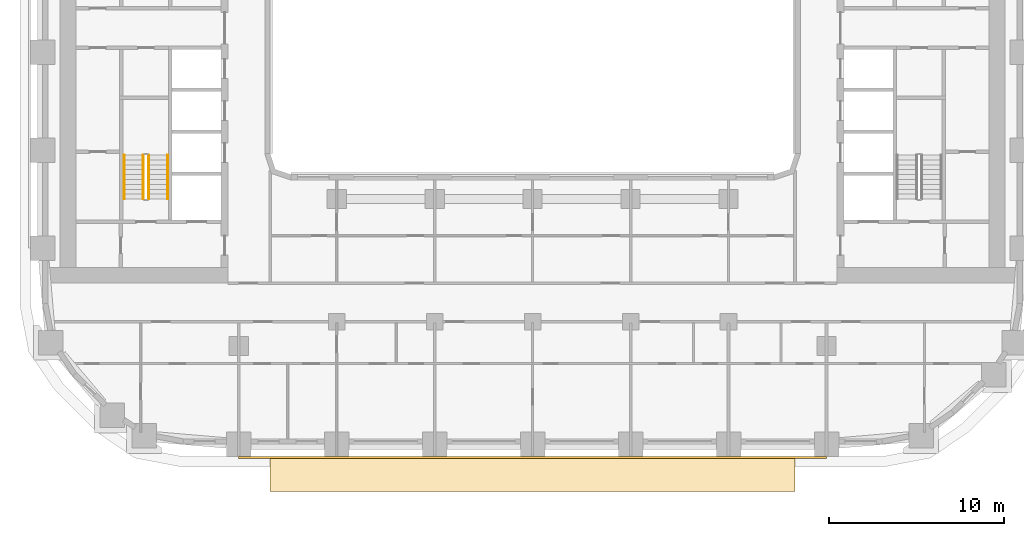
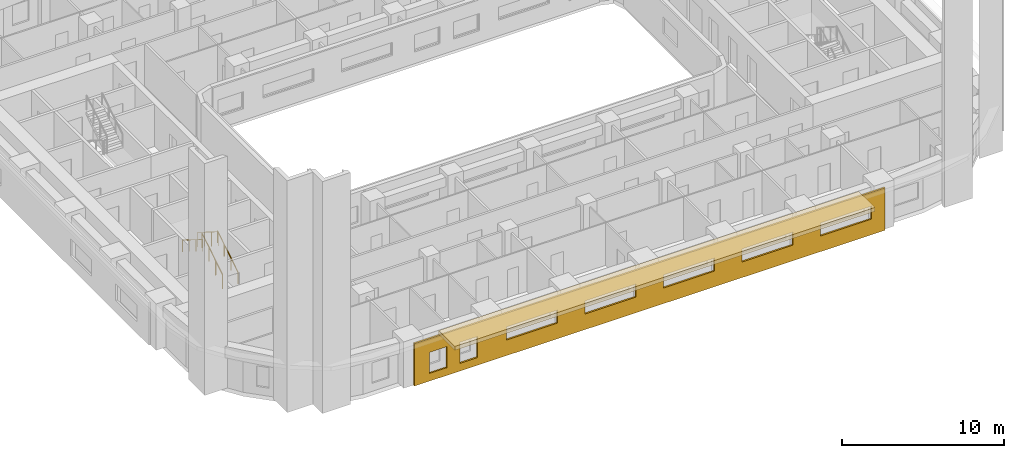
# One storey, part 12 of 22: 4 railings, 2 coverings.
"""IFC4 building model written with IfcOpenShell, lengths in metres."""

from ifc_helpers import new_model, si_unit, direction, frame, origin, origin_2d, place, context, subcontext, project, spatial, polyline, circle, outline, extrude, material, layer, layer_set, type_object, element, save


model = new_model("IFC4")

# Units and contexts
model_context = context("Model", 3, precision=1e-05, world=origin(), true_north=direction((0.0, 1.0)))
body_context = subcontext(model_context, "Body", "Model", "MODEL_VIEW")
ifc_project = project(units=[si_unit("LENGTHUNIT", "METRE"), si_unit("AREAUNIT", "SQUARE_METRE"), si_unit("VOLUMEUNIT", "CUBIC_METRE"), si_unit("PLANEANGLEUNIT", "RADIAN"), si_unit("MASSUNIT", "GRAM", prefix="KILO")], contexts=[model_context])

# Site, building, storey
site_placement = place(None, origin())
site = spatial("IfcSite", under=ifc_project, at=site_placement, CompositionType="ELEMENT")
building_placement = place(site_placement, origin())
building = spatial("IfcBuilding", under=site, at=building_placement, Name="Kiln Ring Residences", CompositionType="ELEMENT")
storey_placement = place(building_placement, frame((0.0, 0.0, 55.0)))
storey = spatial("IfcBuildingStorey", under=building, at=storey_placement, Name="L13", CompositionType="ELEMENT", Elevation=55.0)

# Railings
ifc_material_1 = material(Name="Stainless steel", Category="steel")
railing_type_1 = type_object("IfcRailingType", Name="CORE-STAIR-GUARD", PredefinedType="GUARDRAIL", material=ifc_material_1)
railing_1_placement = place(storey_placement, frame((-21.949951171875, -8.39990234375, 0.175048828125)))
element("IfcRailing", 1, at=railing_1_placement, inside=storey, type_object=railing_type_1, Name="L13 W-STS stair guard 1", PredefinedType="GUARDRAIL", context=body_context, shape_type="SweptSolid", body=[
    extrude(circle(Radius=0.02392578125, at=origin_2d()), frame((0.0, 0.0, 1.076171875), z_axis=(0.0, 0.848007534815, 0.529984170421), x_axis=(-1.0, 0.0, 0.0)), (0.0, 0.0, 1.0), 2.9716796875),
    extrude(circle(Radius=0.02099609375, at=origin_2d()), origin(), (0.0, 0.0, 1.0), 1.052001953125),
    extrude(circle(Radius=0.02099609375, at=origin_2d()), frame((0.0, 0.840087890625, 0.52490234375)), (0.0, 0.0, 1.0), 1.052001953125),
    extrude(circle(Radius=0.02099609375, at=origin_2d()), frame((0.0, 1.679931640625, 1.050048828125)), (0.0, 0.0, 1.0), 1.052001953125),
    extrude(circle(Radius=0.02099609375, at=origin_2d()), frame((0.0, 2.52001953125, 1.574951171875)), (0.0, 0.0, 1.0), 1.052001953125),
])
railing_2_placement = place(storey_placement, frame((-22.25, -5.8798828125, 1.925048828125)))
element("IfcRailing", 2, at=railing_2_placement, inside=storey, type_object=railing_type_1, Name="L13 W-STS stair guard 3", PredefinedType="GUARDRAIL", context=body_context, shape_type="SweptSolid", body=[
    extrude(circle(Radius=0.02392578125, at=origin_2d()), frame((0.0, 0.0, 1.076171875), z_axis=(0.0, -0.848007534815, 0.529984170421), x_axis=(1.0, 0.0, 0.0)), (0.0, 0.0, 1.0), 2.9716796875),
    extrude(circle(Radius=0.02099609375, at=origin_2d()), origin(), (0.0, 0.0, 1.0), 1.052001953125),
    extrude(circle(Radius=0.02099609375, at=origin_2d()), frame((0.0, -0.840087890625, 0.52490234375)), (0.0, 0.0, 1.0), 1.052001953125),
    extrude(circle(Radius=0.02099609375, at=origin_2d()), frame((0.0, -1.679931640625, 1.050048828125)), (0.0, 0.0, 1.0), 1.052001953125),
    extrude(circle(Radius=0.02099609375, at=origin_2d()), frame((0.0, -2.52001953125, 1.574951171875)), (0.0, 0.0, 1.0), 1.052001953125),
])
ifc_material_2 = material(Name="Stainless steel", Category="steel")
railing_type_2 = type_object("IfcRailingType", Name="CORE-STAIR-HANDRAIL", PredefinedType="HANDRAIL", material=ifc_material_2)
railing_3_placement = place(storey_placement, frame((-20.85009765625, -8.39990234375, 0.175048828125)))
element("IfcRailing", 3, at=railing_3_placement, inside=storey, type_object=railing_type_2, Name="L13 W-STS stair handrail 1", PredefinedType="HANDRAIL", context=body_context, shape_type="SweptSolid", body=[
    extrude(circle(Radius=0.02392578125, at=origin_2d()), frame((0.0, 0.0, 0.8759765625), z_axis=(0.0, 0.848007534815, 0.529984170421), x_axis=(-1.0, 0.0, 0.0)), (0.0, 0.0, 1.0), 2.9716796875),
    extrude(circle(Radius=0.02099609375, at=origin_2d()), origin(), (0.0, 0.0, 1.0), 0.851806640625),
    extrude(circle(Radius=0.02099609375, at=origin_2d()), frame((0.0, 0.840087890625, 0.52490234375)), (0.0, 0.0, 1.0), 0.851806640625),
    extrude(circle(Radius=0.02099609375, at=origin_2d()), frame((0.0, 1.679931640625, 1.050048828125)), (0.0, 0.0, 1.0), 0.851806640625),
    extrude(circle(Radius=0.02099609375, at=origin_2d()), frame((0.0, 2.52001953125, 1.574951171875)), (0.0, 0.0, 1.0), 0.851806640625),
])
railing_4_placement = place(storey_placement, frame((-23.35009765625, -5.8798828125, 1.925048828125)))
element("IfcRailing", 4, at=railing_4_placement, inside=storey, type_object=railing_type_2, Name="L13 W-STS stair handrail 2", PredefinedType="HANDRAIL", context=body_context, shape_type="SweptSolid", body=[
    extrude(circle(Radius=0.02392578125, at=origin_2d()), frame((0.0, 0.0, 0.8759765625), z_axis=(0.0, -0.848007534815, 0.529984170421), x_axis=(1.0, 0.0, 0.0)), (0.0, 0.0, 1.0), 2.9716796875),
    extrude(circle(Radius=0.02099609375, at=origin_2d()), origin(), (0.0, 0.0, 1.0), 0.851806640625),
    extrude(circle(Radius=0.02099609375, at=origin_2d()), frame((0.0, -0.840087890625, 0.52490234375)), (0.0, 0.0, 1.0), 0.851806640625),
    extrude(circle(Radius=0.02099609375, at=origin_2d()), frame((0.0, -1.679931640625, 1.050048828125)), (0.0, 0.0, 1.0), 0.851806640625),
    extrude(circle(Radius=0.02099609375, at=origin_2d()), frame((0.0, -2.52001953125, 1.574951171875)), (0.0, 0.0, 1.0), 0.851806640625),
])

# Coverings
ifc_material_3 = material(Name="Brick masonry, dark clay brick", Category="masonry")
ifc_layer_1 = layer(ifc_material_3, 0.1201171875)
ifc_layer_set_1 = layer_set([ifc_layer_1], Name="RAINSCREEN PANEL 120")
covering_type_1 = type_object("IfcCoveringType", Name="RAINSCREEN PANEL 120", PredefinedType="CLADDING", material=ifc_layer_set_1)
covering_1_placement = place(storey_placement, frame((-16.800048828125, -23.159912109375, 0.0), z_axis=(0.0, 0.0, 1.0), x_axis=(1.0, 0.0, 0.0)))
element("IfcCovering", 5, at=covering_1_placement, inside=storey, type_object=covering_type_1, Name="RAINSCREEN L13", PredefinedType="CLADDING", context=body_context, shape_type="SweptSolid", body=[
    extrude(outline(polyline([(0.0, 0.0), (33.60009765625, 0.0), (33.60009765625, 3.199951171875), (0.0, 3.199951171875), (0.0, 0.0)]), holes=[polyline([(2.33251953125, 0.580078125), (2.33251953125, 2.169921875), (1.092529296875, 2.169921875), (1.092529296875, 0.580078125), (2.33251953125, 0.580078125)]), polyline([(3.267578125, 0.580078125), (4.507568359375, 0.580078125), (4.507568359375, 2.169921875), (3.267578125, 2.169921875), (3.267578125, 0.580078125)]), polyline([(6.580078125, 1.179931640625), (10.219970703125, 1.179931640625), (10.219970703125, 2.169921875), (6.580078125, 2.169921875), (6.580078125, 1.179931640625)]), polyline([(12.179931640625, 1.179931640625), (15.820068359375, 1.179931640625), (15.820068359375, 2.169921875), (12.179931640625, 2.169921875), (12.179931640625, 1.179931640625)]), polyline([(17.780029296875, 1.179931640625), (21.419921875, 1.179931640625), (21.419921875, 2.169921875), (17.780029296875, 2.169921875), (17.780029296875, 1.179931640625)]), polyline([(23.3798828125, 1.179931640625), (27.02001953125, 1.179931640625), (27.02001953125, 2.169921875), (23.3798828125, 2.169921875), (23.3798828125, 1.179931640625)]), polyline([(28.97998046875, 1.179931640625), (32.6201171875, 1.179931640625), (32.6201171875, 2.169921875), (28.97998046875, 2.169921875), (28.97998046875, 1.179931640625)])]), frame((0.0, 0.06005859375, 0.0), z_axis=(0.0, -1.0, 0.0), x_axis=(1.0, 0.0, 0.0)), (0.0, 0.0, 1.0), 0.1201171875),
])
ifc_material_4 = material(Name="Black powder-coated steel", Category="steel")
ifc_layer_2 = layer(ifc_material_4, 0.300048828125)
ifc_layer_set_2 = layer_set([ifc_layer_2], Name="SUNSHADE BAND 2000")
covering_type_2 = type_object("IfcCoveringType", Name="SUNSHADE BAND 2000", PredefinedType="CLADDING", material=ifc_layer_set_2)
covering_2_placement = place(storey_placement, frame((0.0, 0.0, 3.199951171875)))
element("IfcCovering", 6, at=covering_2_placement, inside=storey, type_object=covering_type_2, Name="SUNSHADE BAND L13", PredefinedType="CLADDING", context=body_context, shape_type="SweptSolid", body=[
    extrude(outline(polyline([(-15.0, -25.10009765625), (15.0, -25.10009765625), (15.0, -23.10009765625), (-15.0, -23.10009765625), (-15.0, -25.10009765625)])), origin(), (0.0, 0.0, 1.0), 0.300048828125),
])

save(model, "model.ifc")
